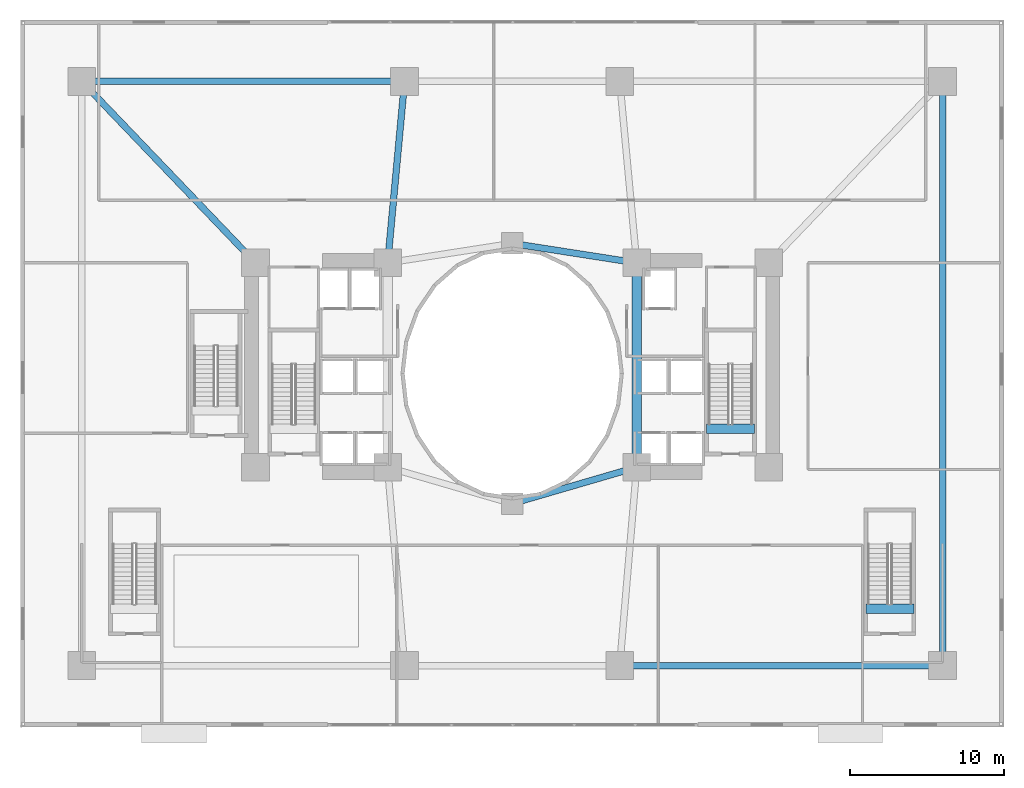
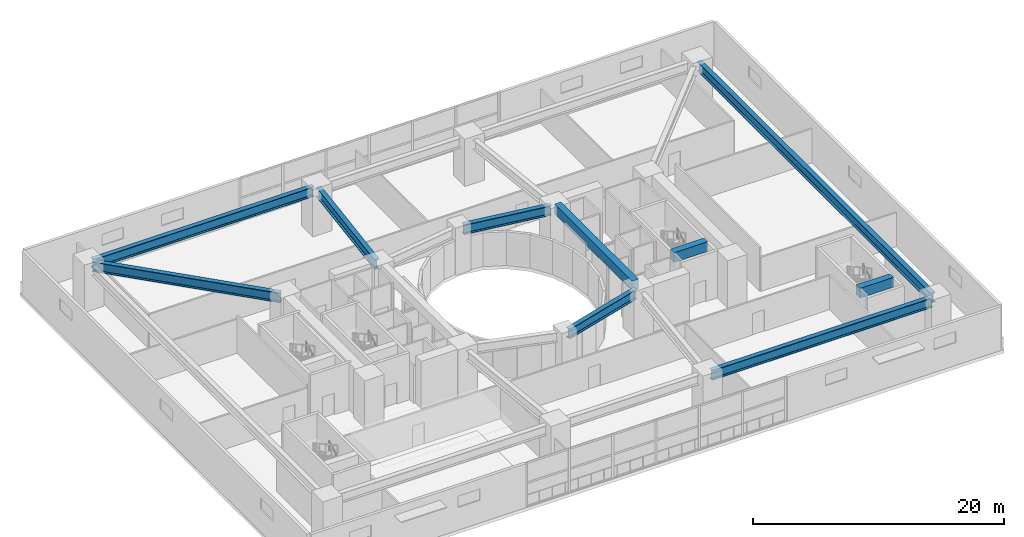
# One storey, part 5 of 20: 10 beams.
"""IFC4 building model written with IfcOpenShell, lengths in metres."""

from ifc_helpers import new_model, si_unit, direction, frame, origin, origin_2d, place, context, subcontext, project, spatial, rectangle, i_section, extrude, material, material_profile, profile_set, type_object, element, save


model = new_model("IFC4")

# Units and contexts
model_context = context("Model", 3, precision=1e-05, world=origin(), true_north=direction((0.0, 1.0)))
body_context = subcontext(model_context, "Body", "Model", "MODEL_VIEW")
ifc_project = project(units=[si_unit("LENGTHUNIT", "METRE"), si_unit("AREAUNIT", "SQUARE_METRE"), si_unit("VOLUMEUNIT", "CUBIC_METRE"), si_unit("PLANEANGLEUNIT", "RADIAN"), si_unit("MASSUNIT", "GRAM", prefix="KILO")], contexts=[model_context])

# Site, building, storey
site_placement = place(None, origin())
site = spatial("IfcSite", under=ifc_project, at=site_placement, CompositionType="ELEMENT")
building_placement = place(site_placement, origin())
building = spatial("IfcBuilding", under=site, at=building_placement, Name="Solvane Sanctuary Tower", CompositionType="ELEMENT")
storey_placement = place(building_placement, frame((0.0, 0.0, 9.199951171875)))
storey = spatial("IfcBuildingStorey", under=building, at=storey_placement, Name="L03", CompositionType="ELEMENT", Elevation=9.199951171875)

# Beams
ifc_material_1 = material(Name="Concrete C70/85", Category="concrete")
ifc_material_profile_1 = material_profile(ifc_material_1, rectangle(XDim=0.60009765625, YDim=0.949951171875, at=origin_2d()), Name="RC600X950")
ifc_profile_set_1 = profile_set([ifc_material_profile_1], Name="Concrete C70/85")
beam_type_1 = type_object("IfcBeamType", Name="Beam B-COUPLE RC600X950", PredefinedType="LINTEL", material=ifc_profile_set_1)
beam_1_placement = place(storey_placement, frame((40.10009765625, 17.35009765625, 4.125), z_axis=(0.0, 1.0, 0.0), x_axis=(-1.0, 0.0, 0.0)))
element("IfcBeam", 1, at=beam_1_placement, inside=storey, type_object=beam_type_1, Name="L03 East Core Coupling Lintel", PredefinedType="LINTEL", context=body_context, shape_type="SweptSolid", body=[
    extrude(rectangle(XDim=0.60009765625, YDim=0.949951171875, at=origin_2d()), origin(), (0.0, 0.0, 1.0), 12.39990234375),
])
beam_2_placement = place(storey_placement, frame((44.64990234375, 19.399169921875, 4.125), z_axis=(1.0, 0.0, 0.0), x_axis=(0.0, 1.0, 0.0)))
element("IfcBeam", 2, at=beam_2_placement, inside=storey, type_object=beam_type_1, Name="L03 ST-2 Stair Floor Landing Trimmer", PredefinedType="LINTEL", context=body_context, shape_type="SweptSolid", body=[
    extrude(rectangle(XDim=0.60009765625, YDim=0.949951171875, at=origin_2d()), origin(), (0.0, 0.0, 1.0), 3.1201171875),
])
beam_3_placement = place(storey_placement, frame((55.010009765625, 7.69921875, 4.125), z_axis=(1.0, 0.0, 0.0), x_axis=(0.0, 1.0, 0.0)))
element("IfcBeam", 3, at=beam_3_placement, inside=storey, type_object=beam_type_1, Name="L03 ST-5 Stair Floor Landing Trimmer", PredefinedType="LINTEL", context=body_context, shape_type="SweptSolid", body=[
    extrude(rectangle(XDim=0.60009765625, YDim=0.949951171875, at=origin_2d()), origin(), (0.0, 0.0, 1.0), 3.119873046875),
])
ifc_material_2 = material(Name="Steel ASTM A913 Grade 65", Category="steel")
ifc_material_profile_2 = material_profile(ifc_material_2, i_section(OverallWidth=0.423095703125, OverallDepth=0.947998046875, WebThickness=0.02392578125, FlangeThickness=0.042724609375, FilletRadius=0.02392578125, at=origin_2d()), Name="W36X302")
ifc_profile_set_2 = profile_set([ifc_material_profile_2], Name="Steel ASTM A913 Grade 65")
beam_type_2 = type_object("IfcBeamType", Name="Beam B-POD-GIRD W36X302", PredefinedType="BEAM", material=ifc_profile_set_2)
beam_4_placement = place(storey_placement, frame((39.35009765625, 4.0, 3.803955078125), z_axis=(1.0, 0.0, 0.0), x_axis=(0.0, 1.0, 0.0)))
element("IfcBeam", 4, at=beam_4_placement, inside=storey, type_object=beam_type_2, Name="L03 Podium Primary Girder PG3", PredefinedType="BEAM", context=body_context, shape_type="SweptSolid", body=[
    extrude(i_section(OverallWidth=0.423095703125, OverallDepth=0.947998046875, WebThickness=0.02392578125, FlangeThickness=0.042724609375, FilletRadius=0.02392578125, at=origin_2d()), origin(), (0.0, 0.0, 1.0), 20.2998046875),
])
beam_5_placement = place(storey_placement, frame((60.0, 4.35009765625, 3.803955078125), z_axis=(0.0, 1.0, 0.0), x_axis=(-1.0, 0.0, 0.0)))
element("IfcBeam", 5, at=beam_5_placement, inside=storey, type_object=beam_type_2, Name="L03 Podium Primary Girder PG4", PredefinedType="BEAM", context=body_context, shape_type="SweptSolid", body=[
    extrude(i_section(OverallWidth=0.423095703125, OverallDepth=0.947998046875, WebThickness=0.02392578125, FlangeThickness=0.042724609375, FilletRadius=0.02392578125, at=origin_2d()), origin(), (0.0, 0.0, 1.0), 37.2998046875),
])
beam_6_placement = place(storey_placement, frame((24.64990234375, 42.0, 3.803955078125), z_axis=(-1.0, 0.0, 0.0), x_axis=(0.0, -1.0, 0.0)))
element("IfcBeam", 6, at=beam_6_placement, inside=storey, type_object=beam_type_2, Name="L03 Podium Primary Girder PG7", PredefinedType="BEAM", context=body_context, shape_type="SweptSolid", body=[
    extrude(i_section(OverallWidth=0.423095703125, OverallDepth=0.947998046875, WebThickness=0.02392578125, FlangeThickness=0.042724609375, FilletRadius=0.02392578125, at=origin_2d()), origin(), (0.0, 0.0, 1.0), 20.2998046875),
])
beam_7_placement = place(storey_placement, frame((24.967529296875, 41.651611328125, 3.803955078125), z_axis=(-0.092807615301, -0.9956840596, 0.0), x_axis=(0.9956840596, -0.092807615301, 0.0)))
element("IfcBeam", 7, at=beam_7_placement, inside=storey, type_object=beam_type_2, Name="L03 Podium Primary Girder PG11", PredefinedType="BEAM", context=body_context, shape_type="SweptSolid", body=[
    extrude(i_section(OverallWidth=0.423095703125, OverallDepth=0.947998046875, WebThickness=0.02392578125, FlangeThickness=0.042724609375, FilletRadius=0.02392578125, at=origin_2d()), origin(), (0.0, 0.0, 1.0), 11.151123046875),
])
beam_8_placement = place(storey_placement, frame((4.2421875, 41.747314453125, 3.803955078125), z_axis=(0.691633366234, -0.722248770654, 0.0), x_axis=(0.722248770654, 0.691633366234, 0.0)))
element("IfcBeam", 8, at=beam_8_placement, inside=storey, type_object=beam_type_2, Name="L03 Podium Primary Girder PG14", PredefinedType="BEAM", context=body_context, shape_type="SweptSolid", body=[
    extrude(i_section(OverallWidth=0.423095703125, OverallDepth=0.947998046875, WebThickness=0.02392578125, FlangeThickness=0.042724609375, FilletRadius=0.02392578125, at=origin_2d()), origin(), (0.0, 0.0, 1.0), 15.637939453125),
])
beam_9_placement = place(storey_placement, frame((32.3359375, 14.637939453125, 3.803955078125), z_axis=(0.960084424813, 0.279710380987, 0.0), x_axis=(-0.279710380987, 0.960084424813, 0.0)))
element("IfcBeam", 9, at=beam_9_placement, inside=storey, type_object=beam_type_2, Name="L03 Podium Primary Girder PG18", PredefinedType="BEAM", context=body_context, shape_type="SweptSolid", body=[
    extrude(i_section(OverallWidth=0.423095703125, OverallDepth=0.947998046875, WebThickness=0.02392578125, FlangeThickness=0.042724609375, FilletRadius=0.02392578125, at=origin_2d()), origin(), (0.0, 0.0, 1.0), 7.73681640625),
])
beam_10_placement = place(storey_placement, frame((32.345703125, 31.40625, 3.803955078125), z_axis=(0.988118117449, -0.153696408448, 0.0), x_axis=(0.153696408448, 0.988118117449, 0.0)))
element("IfcBeam", 10, at=beam_10_placement, inside=storey, type_object=beam_type_2, Name="L03 Podium Primary Girder PG20", PredefinedType="BEAM", context=body_context, shape_type="SweptSolid", body=[
    extrude(i_section(OverallWidth=0.423095703125, OverallDepth=0.947998046875, WebThickness=0.02392578125, FlangeThickness=0.042724609375, FilletRadius=0.02392578125, at=origin_2d()), origin(), (0.0, 0.0, 1.0), 7.49755859375),
])

save(model, "model.ifc")
